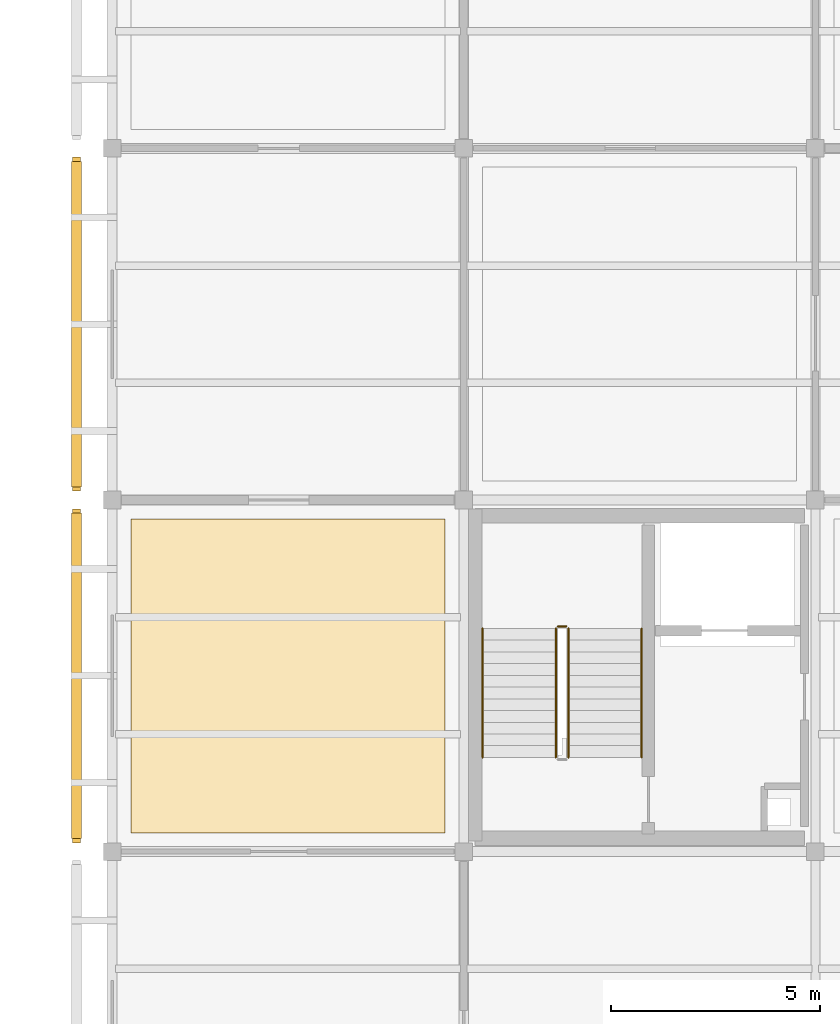
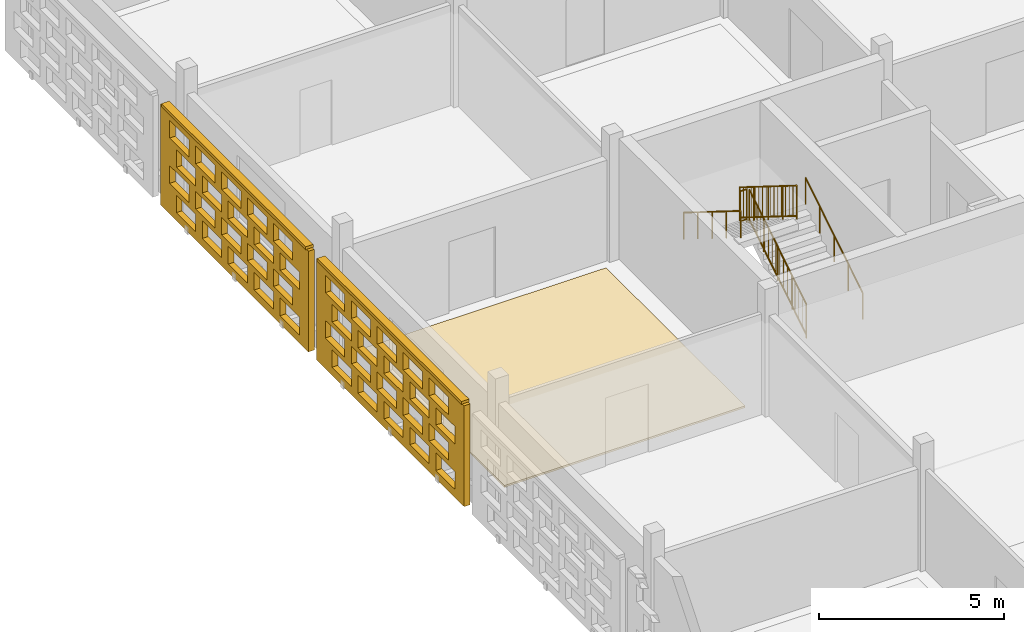
# One storey, part 92 of 103: 5 railings, 3 coverings, 2 shading devices, 40 openings.
"""IFC4 building model written with IfcOpenShell, lengths in metres."""

from ifc_helpers import new_model, si_unit, direction, frame, frame_2d, origin, origin_2d, place, context, subcontext, project, spatial, rectangle, circle, extrude, material, layer, layer_set, type_object, element, save


model = new_model("IFC4")

# Units and contexts
model_context = context("Model", 3, precision=1e-05, world=origin(), true_north=direction((0.0, 1.0)))
body_context = subcontext(model_context, "Body", "Model", "MODEL_VIEW")
ifc_project = project(units=[si_unit("LENGTHUNIT", "METRE"), si_unit("AREAUNIT", "SQUARE_METRE"), si_unit("VOLUMEUNIT", "CUBIC_METRE"), si_unit("PLANEANGLEUNIT", "RADIAN"), si_unit("MASSUNIT", "GRAM", prefix="KILO")], contexts=[model_context])

# Site, building, storey
site_placement = place(None, origin())
site = spatial("IfcSite", under=ifc_project, at=site_placement, CompositionType="ELEMENT")
building_placement = place(site_placement, origin())
building = spatial("IfcBuilding", under=site, at=building_placement, Name="Varnapada Polytechnic", CompositionType="ELEMENT")
storey_placement = place(building_placement, frame((0.0, 0.0, 18.0)))
storey = spatial("IfcBuildingStorey", under=building, at=storey_placement, Name="L04", CompositionType="ELEMENT", Elevation=18.0)

# Covering
ifc_material_1 = material(Name="Anti-Static Raised Laboratory Flooring")
ifc_layer_1 = layer(ifc_material_1, 0.06005859375)
ifc_layer_set_1 = layer_set([ifc_layer_1], Name="Anti-Static Raised Laboratory Flooring")
covering_type_1 = type_object("IfcCoveringType", Name="Floor Finish FLR-02", PredefinedType="FLOORING", material=ifc_layer_set_1)
covering_1_placement = place(storey_placement, frame((4.199951171875, 105.0, 0.0), z_axis=(0.0, 0.0, 1.0), x_axis=(1.0, 0.0, 0.0)))
element("IfcCovering", 1, at=covering_1_placement, inside=storey, type_object=covering_type_1, Name="L04 floor finish panel (1,13)", PredefinedType="FLOORING", context=body_context, shape_type="SweptSolid", body=[
    extrude(rectangle(XDim=7.5, YDim=7.5, at=origin_2d()), origin(), (0.0, 0.0, 1.0), 0.06005859375),
])

# Railings
ifc_material_2 = material(Name="Brushed Stainless Steel 316", Category="steel")
railing_type_1 = type_object("IfcRailingType", Name="Stair Wall Handrail SHR-01", PredefinedType="HANDRAIL", material=ifc_material_2)
railing_1_placement = place(storey_placement, frame((12.64990234375, 103.050048828125, 0.175048828125)))
element("IfcRailing", 2, at=railing_1_placement, inside=storey, type_object=railing_type_1, Name="L04 ST-1 stair handrail 1", PredefinedType="HANDRAIL", context=body_context, shape_type="SweptSolid", body=[
    extrude(circle(Radius=0.02392578125, at=origin_2d()), frame((0.0, 0.0, 0.8759765625), z_axis=(0.0, 0.847979421464, 0.530029150871), x_axis=(-1.0, 0.0, 0.0)), (0.0, 0.0, 1.0), 3.632080078125),
    extrude(circle(Radius=0.02099609375, at=origin_2d()), origin(), (0.0, 0.0, 1.0), 0.851806640625),
    extrude(circle(Radius=0.02099609375, at=origin_2d()), frame((0.0, 0.77001953125, 0.481201171875)), (0.0, 0.0, 1.0), 0.851806640625),
    extrude(circle(Radius=0.02099609375, at=origin_2d()), frame((0.0, 1.5400390625, 0.96240234375)), (0.0, 0.0, 1.0), 0.851806640625),
    extrude(circle(Radius=0.02099609375, at=origin_2d()), frame((0.0, 2.309814453125, 1.44384765625)), (0.0, 0.0, 1.0), 0.851806640625),
    extrude(circle(Radius=0.02099609375, at=origin_2d()), frame((0.0, 3.079833984375, 1.925048828125)), (0.0, 0.0, 1.0), 0.851806640625),
])
railing_2_placement = place(storey_placement, frame((8.85009765625, 106.1298828125, 2.27490234375)))
element("IfcRailing", 3, at=railing_2_placement, inside=storey, type_object=railing_type_1, Name="L04 ST-1 stair handrail 2", PredefinedType="HANDRAIL", context=body_context, shape_type="SweptSolid", body=[
    extrude(circle(Radius=0.02392578125, at=origin_2d()), frame((0.0, 0.0, 0.8759765625), z_axis=(0.0, -0.847979421464, 0.530029150871), x_axis=(1.0, 0.0, 0.0)), (0.0, 0.0, 1.0), 3.632080078125),
    extrude(circle(Radius=0.02099609375, at=origin_2d()), origin(), (0.0, 0.0, 1.0), 0.851806640625),
    extrude(circle(Radius=0.02099609375, at=origin_2d()), frame((0.0, -0.77001953125, 0.481201171875)), (0.0, 0.0, 1.0), 0.851806640625),
    extrude(circle(Radius=0.02099609375, at=origin_2d()), frame((0.0, -1.5400390625, 0.96240234375)), (0.0, 0.0, 1.0), 0.851806640625),
    extrude(circle(Radius=0.02099609375, at=origin_2d()), frame((0.0, -2.309814453125, 1.44384765625)), (0.0, 0.0, 1.0), 0.851806640625),
    extrude(circle(Radius=0.02099609375, at=origin_2d()), frame((0.0, -3.079833984375, 1.925048828125)), (0.0, 0.0, 1.0), 0.851806640625),
])
railing_type_2 = type_object("IfcRailingType", Name="Stair Well Guard Rail SGR-01", PredefinedType="BALUSTRADE", material=ifc_material_2)
railing_3_placement = place(storey_placement, frame((10.89990234375, 103.050048828125, 0.175048828125)))
element("IfcRailing", 4, at=railing_3_placement, inside=storey, type_object=railing_type_2, Name="L04 ST-1 stair guard 1", PredefinedType="BALUSTRADE", context=body_context, shape_type="SweptSolid", body=[
    extrude(circle(Radius=0.02392578125, at=origin_2d()), frame((0.0, 0.0, 1.09619140625), z_axis=(0.0, 0.847979421464, 0.530029150871), x_axis=(-1.0, 0.0, 0.0)), (0.0, 0.0, 1.0), 3.632080078125),
    extrude(circle(Radius=0.02392578125, at=origin_2d()), frame((0.0, 0.0, 0.10009765625), z_axis=(0.0, 0.847979421464, 0.530029150871), x_axis=(-1.0, 0.0, 0.0)), (0.0, 0.0, 1.0), 3.632080078125),
    extrude(circle(Radius=0.02099609375, at=origin_2d()), origin(), (0.0, 0.0, 1.0), 1.072021484375),
    extrude(circle(Radius=0.02099609375, at=origin_2d()), frame((0.0, 0.77001953125, 0.481201171875)), (0.0, 0.0, 1.0), 1.072021484375),
    extrude(circle(Radius=0.02099609375, at=origin_2d()), frame((0.0, 1.5400390625, 0.96240234375)), (0.0, 0.0, 1.0), 1.072021484375),
    extrude(circle(Radius=0.02099609375, at=origin_2d()), frame((0.0, 2.309814453125, 1.44384765625)), (0.0, 0.0, 1.0), 1.072021484375),
    extrude(circle(Radius=0.02099609375, at=origin_2d()), frame((0.0, 3.079833984375, 1.925048828125)), (0.0, 0.0, 1.0), 1.072021484375),
    extrude(circle(Radius=0.010009765625, at=origin_2d()), frame((0.0, 0.205322265625, 0.228515625)), (0.0, 0.0, 1.0), 0.971923828125),
    extrude(circle(Radius=0.010009765625, at=origin_2d()), frame((0.0, 0.41064453125, 0.356689453125)), (0.0, 0.0, 1.0), 0.971923828125),
    extrude(circle(Radius=0.010009765625, at=origin_2d()), frame((0.0, 0.615966796875, 0.485107421875)), (0.0, 0.0, 1.0), 0.971923828125),
    extrude(circle(Radius=0.010009765625, at=origin_2d()), frame((0.0, 0.8212890625, 0.613525390625)), (0.0, 0.0, 1.0), 0.971923828125),
    extrude(circle(Radius=0.010009765625, at=origin_2d()), frame((0.0, 1.026611328125, 0.74169921875)), (0.0, 0.0, 1.0), 0.971923828125),
    extrude(circle(Radius=0.010009765625, at=origin_2d()), frame((0.0, 1.23193359375, 0.8701171875)), (0.0, 0.0, 1.0), 0.971923828125),
    extrude(circle(Radius=0.010009765625, at=origin_2d()), frame((0.0, 1.437255859375, 0.99853515625)), (0.0, 0.0, 1.0), 0.971923828125),
    extrude(circle(Radius=0.010009765625, at=origin_2d()), frame((0.0, 1.642578125, 1.126708984375)), (0.0, 0.0, 1.0), 0.971923828125),
    extrude(circle(Radius=0.010009765625, at=origin_2d()), frame((0.0, 1.847900390625, 1.255126953125)), (0.0, 0.0, 1.0), 0.971923828125),
    extrude(circle(Radius=0.010009765625, at=origin_2d()), frame((0.0, 2.05322265625, 1.383544921875)), (0.0, 0.0, 1.0), 0.971923828125),
    extrude(circle(Radius=0.010009765625, at=origin_2d()), frame((0.0, 2.258544921875, 1.51171875)), (0.0, 0.0, 1.0), 0.971923828125),
    extrude(circle(Radius=0.010009765625, at=origin_2d()), frame((0.0, 2.4638671875, 1.64013671875)), (0.0, 0.0, 1.0), 0.971923828125),
    extrude(circle(Radius=0.010009765625, at=origin_2d()), frame((0.0, 2.669189453125, 1.7685546875)), (0.0, 0.0, 1.0), 0.971923828125),
    extrude(circle(Radius=0.010009765625, at=origin_2d()), frame((0.0, 2.87451171875, 1.896728515625)), (0.0, 0.0, 1.0), 0.971923828125),
])
railing_4_placement = place(storey_placement, frame((10.85009765625, 106.179931640625, 2.10009765625)))
element("IfcRailing", 5, at=railing_4_placement, inside=storey, type_object=railing_type_2, Name="L04 ST-1 stair guard 2", PredefinedType="BALUSTRADE", context=body_context, shape_type="SweptSolid", body=[
    extrude(circle(Radius=0.02392578125, at=origin_2d()), frame((0.0, 0.0, 1.09619140625), z_axis=(-1.0, 0.0, 0.0), x_axis=(0.0, -1.0, 0.0)), (0.0, 0.0, 1.0), 0.2001953125),
    extrude(circle(Radius=0.02392578125, at=origin_2d()), frame((0.0, 0.0, 0.10009765625), z_axis=(-1.0, 0.0, 0.0), x_axis=(0.0, -1.0, 0.0)), (0.0, 0.0, 1.0), 0.2001953125),
    extrude(circle(Radius=0.02099609375, at=origin_2d()), origin(), (0.0, 0.0, 1.0), 1.072021484375),
    extrude(circle(Radius=0.02099609375, at=origin_2d()), frame((-0.2001953125, 0.0, 0.0)), (0.0, 0.0, 1.0), 1.072021484375),
])
railing_5_placement = place(storey_placement, frame((10.60009765625, 106.1298828125, 2.27490234375)))
element("IfcRailing", 6, at=railing_5_placement, inside=storey, type_object=railing_type_2, Name="L04 ST-1 stair guard 3", PredefinedType="BALUSTRADE", context=body_context, shape_type="SweptSolid", body=[
    extrude(circle(Radius=0.02392578125, at=origin_2d()), frame((0.0, 0.0, 1.09619140625), z_axis=(0.0, -0.847979421464, 0.530029150871), x_axis=(1.0, 0.0, 0.0)), (0.0, 0.0, 1.0), 3.632080078125),
    extrude(circle(Radius=0.02392578125, at=origin_2d()), frame((0.0, 0.0, 0.10009765625), z_axis=(0.0, -0.847979421464, 0.530029150871), x_axis=(1.0, 0.0, 0.0)), (0.0, 0.0, 1.0), 3.632080078125),
    extrude(circle(Radius=0.02099609375, at=origin_2d()), origin(), (0.0, 0.0, 1.0), 1.072021484375),
    extrude(circle(Radius=0.02099609375, at=origin_2d()), frame((0.0, -0.77001953125, 0.481201171875)), (0.0, 0.0, 1.0), 1.072021484375),
    extrude(circle(Radius=0.02099609375, at=origin_2d()), frame((0.0, -1.5400390625, 0.96240234375)), (0.0, 0.0, 1.0), 1.072021484375),
    extrude(circle(Radius=0.02099609375, at=origin_2d()), frame((0.0, -2.309814453125, 1.44384765625)), (0.0, 0.0, 1.0), 1.072021484375),
    extrude(circle(Radius=0.02099609375, at=origin_2d()), frame((0.0, -3.079833984375, 1.925048828125)), (0.0, 0.0, 1.0), 1.072021484375),
    extrude(circle(Radius=0.010009765625, at=origin_2d()), frame((0.0, -0.205322265625, 0.228515625)), (0.0, 0.0, 1.0), 0.971923828125),
    extrude(circle(Radius=0.010009765625, at=origin_2d()), frame((0.0, -0.41064453125, 0.356689453125)), (0.0, 0.0, 1.0), 0.971923828125),
    extrude(circle(Radius=0.010009765625, at=origin_2d()), frame((0.0, -0.615966796875, 0.485107421875)), (0.0, 0.0, 1.0), 0.971923828125),
    extrude(circle(Radius=0.010009765625, at=origin_2d()), frame((0.0, -0.8212890625, 0.613525390625)), (0.0, 0.0, 1.0), 0.971923828125),
    extrude(circle(Radius=0.010009765625, at=origin_2d()), frame((0.0, -1.026611328125, 0.74169921875)), (0.0, 0.0, 1.0), 0.971923828125),
    extrude(circle(Radius=0.010009765625, at=origin_2d()), frame((0.0, -1.23193359375, 0.8701171875)), (0.0, 0.0, 1.0), 0.971923828125),
    extrude(circle(Radius=0.010009765625, at=origin_2d()), frame((0.0, -1.437255859375, 0.99853515625)), (0.0, 0.0, 1.0), 0.971923828125),
    extrude(circle(Radius=0.010009765625, at=origin_2d()), frame((0.0, -1.642578125, 1.126708984375)), (0.0, 0.0, 1.0), 0.971923828125),
    extrude(circle(Radius=0.010009765625, at=origin_2d()), frame((0.0, -1.847900390625, 1.255126953125)), (0.0, 0.0, 1.0), 0.971923828125),
    extrude(circle(Radius=0.010009765625, at=origin_2d()), frame((0.0, -2.05322265625, 1.383544921875)), (0.0, 0.0, 1.0), 0.971923828125),
    extrude(circle(Radius=0.010009765625, at=origin_2d()), frame((0.0, -2.258544921875, 1.51171875)), (0.0, 0.0, 1.0), 0.971923828125),
    extrude(circle(Radius=0.010009765625, at=origin_2d()), frame((0.0, -2.4638671875, 1.64013671875)), (0.0, 0.0, 1.0), 0.971923828125),
    extrude(circle(Radius=0.010009765625, at=origin_2d()), frame((0.0, -2.669189453125, 1.7685546875)), (0.0, 0.0, 1.0), 0.971923828125),
    extrude(circle(Radius=0.010009765625, at=origin_2d()), frame((0.0, -2.87451171875, 1.896728515625)), (0.0, 0.0, 1.0), 0.971923828125),
])

# Covering, openings
ifc_material_3 = material(Name="Earth-toned architectural terracotta screen block", Category="masonry")
ifc_layer_2 = layer(ifc_material_3, 0.1201171875)
ifc_layer_set_2 = layer_set([ifc_layer_2], Name="Earth-toned architectural terracotta screen block")
covering_type_2 = type_object("IfcCoveringType", Name="Terracotta Screen Cladding CLD-01", PredefinedType="CLADDING", material=ifc_layer_set_2)
covering_2_placement = place(storey_placement, frame((-0.85009765625, 101.010009765625, 0.0), z_axis=(0.0, 0.0, 1.0), x_axis=(0.0, 1.0, 0.0)))
covering_2 = element("IfcCovering", 7, at=covering_2_placement, inside=storey, type_object=covering_type_2, Name="L04 perforated terracotta block screen (8)", PredefinedType="CLADDING", context=body_context, shape_type="SweptSolid", body=[
    extrude(rectangle(XDim=7.97998046875, YDim=0.179931640625, at=frame_2d((3.989990234375, 0.0))), origin(), (0.0, 0.0, 1.0), 3.320068359375),
])
opening_1_placement = place(covering_2_placement, frame((0.489990234375, 0.0, 0.265625)))
element("IfcOpeningElement", 8, at=opening_1_placement, cuts=covering_2, Name="Screen perforation TBS-L04-007.1", PredefinedType="OPENING", context=body_context, shape_type="SweptSolid", body=[
    extrude(rectangle(XDim=1.0400390625, YDim=0.5810546875, at=frame_2d((0.52001953125, 0.29052734375))), frame((0.0, 0.099853515625, 0.0), z_axis=(0.0, -1.0, 0.0), x_axis=(1.0, 0.0, 0.0)), (0.0, 0.0, 1.0), 0.199951171875),
])
opening_2_placement = place(covering_2_placement, frame((1.889892578125, 0.0, 0.265625)))
element("IfcOpeningElement", 9, at=opening_2_placement, cuts=covering_2, Name="Screen perforation TBS-L04-007.2", PredefinedType="OPENING", context=body_context, shape_type="SweptSolid", body=[
    extrude(rectangle(XDim=1.0400390625, YDim=0.5810546875, at=frame_2d((0.52001953125, 0.29052734375))), frame((0.0, 0.099853515625, 0.0), z_axis=(0.0, -1.0, 0.0), x_axis=(1.0, 0.0, 0.0)), (0.0, 0.0, 1.0), 0.199951171875),
])
opening_3_placement = place(covering_2_placement, frame((3.2900390625, 0.0, 0.265625)))
element("IfcOpeningElement", 10, at=opening_3_placement, cuts=covering_2, Name="Screen perforation TBS-L04-007.3", PredefinedType="OPENING", context=body_context, shape_type="SweptSolid", body=[
    extrude(rectangle(XDim=1.0400390625, YDim=0.5810546875, at=frame_2d((0.52001953125, 0.29052734375))), frame((0.0, 0.099853515625, 0.0), z_axis=(0.0, -1.0, 0.0), x_axis=(1.0, 0.0, 0.0)), (0.0, 0.0, 1.0), 0.199951171875),
])
opening_4_placement = place(covering_2_placement, frame((4.68994140625, 0.0, 0.265625)))
element("IfcOpeningElement", 11, at=opening_4_placement, cuts=covering_2, Name="Screen perforation TBS-L04-007.4", PredefinedType="OPENING", context=body_context, shape_type="SweptSolid", body=[
    extrude(rectangle(XDim=1.0400390625, YDim=0.5810546875, at=frame_2d((0.52001953125, 0.29052734375))), frame((0.0, 0.099853515625, 0.0), z_axis=(0.0, -1.0, 0.0), x_axis=(1.0, 0.0, 0.0)), (0.0, 0.0, 1.0), 0.199951171875),
])
opening_5_placement = place(covering_2_placement, frame((6.090087890625, 0.0, 0.265625)))
element("IfcOpeningElement", 12, at=opening_5_placement, cuts=covering_2, Name="Screen perforation TBS-L04-007.5", PredefinedType="OPENING", context=body_context, shape_type="SweptSolid", body=[
    extrude(rectangle(XDim=1.0400390625, YDim=0.5810546875, at=frame_2d((0.52001953125, 0.29052734375))), frame((0.0, 0.099853515625, 0.0), z_axis=(0.0, -1.0, 0.0), x_axis=(1.0, 0.0, 0.0)), (0.0, 0.0, 1.0), 0.199951171875),
])
opening_6_placement = place(covering_2_placement, frame((0.85009765625, 0.0, 1.0126953125)))
element("IfcOpeningElement", 13, at=opening_6_placement, cuts=covering_2, Name="Screen perforation TBS-L04-007.6", PredefinedType="OPENING", context=body_context, shape_type="SweptSolid", body=[
    extrude(rectangle(XDim=1.0400390625, YDim=0.5810546875, at=frame_2d((0.52001953125, 0.29052734375))), frame((0.0, 0.099853515625, 0.0), z_axis=(0.0, -1.0, 0.0), x_axis=(1.0, 0.0, 0.0)), (0.0, 0.0, 1.0), 0.199951171875),
])
opening_7_placement = place(covering_2_placement, frame((2.25, 0.0, 1.0126953125)))
element("IfcOpeningElement", 14, at=opening_7_placement, cuts=covering_2, Name="Screen perforation TBS-L04-007.7", PredefinedType="OPENING", context=body_context, shape_type="SweptSolid", body=[
    extrude(rectangle(XDim=1.0400390625, YDim=0.5810546875, at=frame_2d((0.52001953125, 0.29052734375))), frame((0.0, 0.099853515625, 0.0), z_axis=(0.0, -1.0, 0.0), x_axis=(1.0, 0.0, 0.0)), (0.0, 0.0, 1.0), 0.199951171875),
])
opening_8_placement = place(covering_2_placement, frame((3.64990234375, 0.0, 1.0126953125)))
element("IfcOpeningElement", 15, at=opening_8_placement, cuts=covering_2, Name="Screen perforation TBS-L04-007.8", PredefinedType="OPENING", context=body_context, shape_type="SweptSolid", body=[
    extrude(rectangle(XDim=1.0400390625, YDim=0.5810546875, at=frame_2d((0.52001953125, 0.29052734375))), frame((0.0, 0.099853515625, 0.0), z_axis=(0.0, -1.0, 0.0), x_axis=(1.0, 0.0, 0.0)), (0.0, 0.0, 1.0), 0.199951171875),
])
opening_9_placement = place(covering_2_placement, frame((5.050048828125, 0.0, 1.0126953125)))
element("IfcOpeningElement", 16, at=opening_9_placement, cuts=covering_2, Name="Screen perforation TBS-L04-007.9", PredefinedType="OPENING", context=body_context, shape_type="SweptSolid", body=[
    extrude(rectangle(XDim=1.0400390625, YDim=0.5810546875, at=frame_2d((0.52001953125, 0.29052734375))), frame((0.0, 0.099853515625, 0.0), z_axis=(0.0, -1.0, 0.0), x_axis=(1.0, 0.0, 0.0)), (0.0, 0.0, 1.0), 0.199951171875),
])
opening_10_placement = place(covering_2_placement, frame((6.449951171875, 0.0, 1.0126953125)))
element("IfcOpeningElement", 17, at=opening_10_placement, cuts=covering_2, Name="Screen perforation TBS-L04-007.10", PredefinedType="OPENING", context=body_context, shape_type="SweptSolid", body=[
    extrude(rectangle(XDim=1.0400390625, YDim=0.5810546875, at=frame_2d((0.52001953125, 0.29052734375))), frame((0.0, 0.099853515625, 0.0), z_axis=(0.0, -1.0, 0.0), x_axis=(1.0, 0.0, 0.0)), (0.0, 0.0, 1.0), 0.199951171875),
])
opening_11_placement = place(covering_2_placement, frame((0.489990234375, 0.0, 1.759521484375)))
element("IfcOpeningElement", 18, at=opening_11_placement, cuts=covering_2, Name="Screen perforation TBS-L04-007.11", PredefinedType="OPENING", context=body_context, shape_type="SweptSolid", body=[
    extrude(rectangle(XDim=1.0400390625, YDim=0.5810546875, at=frame_2d((0.52001953125, 0.29052734375))), frame((0.0, 0.099853515625, 0.0), z_axis=(0.0, -1.0, 0.0), x_axis=(1.0, 0.0, 0.0)), (0.0, 0.0, 1.0), 0.199951171875),
])
opening_12_placement = place(covering_2_placement, frame((1.889892578125, 0.0, 1.759521484375)))
element("IfcOpeningElement", 19, at=opening_12_placement, cuts=covering_2, Name="Screen perforation TBS-L04-007.12", PredefinedType="OPENING", context=body_context, shape_type="SweptSolid", body=[
    extrude(rectangle(XDim=1.0400390625, YDim=0.5810546875, at=frame_2d((0.52001953125, 0.29052734375))), frame((0.0, 0.099853515625, 0.0), z_axis=(0.0, -1.0, 0.0), x_axis=(1.0, 0.0, 0.0)), (0.0, 0.0, 1.0), 0.199951171875),
])
opening_13_placement = place(covering_2_placement, frame((3.2900390625, 0.0, 1.759521484375)))
element("IfcOpeningElement", 20, at=opening_13_placement, cuts=covering_2, Name="Screen perforation TBS-L04-007.13", PredefinedType="OPENING", context=body_context, shape_type="SweptSolid", body=[
    extrude(rectangle(XDim=1.0400390625, YDim=0.5810546875, at=frame_2d((0.52001953125, 0.29052734375))), frame((0.0, 0.099853515625, 0.0), z_axis=(0.0, -1.0, 0.0), x_axis=(1.0, 0.0, 0.0)), (0.0, 0.0, 1.0), 0.199951171875),
])
opening_14_placement = place(covering_2_placement, frame((4.68994140625, 0.0, 1.759521484375)))
element("IfcOpeningElement", 21, at=opening_14_placement, cuts=covering_2, Name="Screen perforation TBS-L04-007.14", PredefinedType="OPENING", context=body_context, shape_type="SweptSolid", body=[
    extrude(rectangle(XDim=1.0400390625, YDim=0.5810546875, at=frame_2d((0.52001953125, 0.29052734375))), frame((0.0, 0.099853515625, 0.0), z_axis=(0.0, -1.0, 0.0), x_axis=(1.0, 0.0, 0.0)), (0.0, 0.0, 1.0), 0.199951171875),
])
opening_15_placement = place(covering_2_placement, frame((6.090087890625, 0.0, 1.759521484375)))
element("IfcOpeningElement", 22, at=opening_15_placement, cuts=covering_2, Name="Screen perforation TBS-L04-007.15", PredefinedType="OPENING", context=body_context, shape_type="SweptSolid", body=[
    extrude(rectangle(XDim=1.0400390625, YDim=0.5810546875, at=frame_2d((0.52001953125, 0.29052734375))), frame((0.0, 0.099853515625, 0.0), z_axis=(0.0, -1.0, 0.0), x_axis=(1.0, 0.0, 0.0)), (0.0, 0.0, 1.0), 0.199951171875),
])
opening_16_placement = place(covering_2_placement, frame((0.85009765625, 0.0, 2.506591796875)))
element("IfcOpeningElement", 23, at=opening_16_placement, cuts=covering_2, Name="Screen perforation TBS-L04-007.16", PredefinedType="OPENING", context=body_context, shape_type="SweptSolid", body=[
    extrude(rectangle(XDim=1.0400390625, YDim=0.5810546875, at=frame_2d((0.52001953125, 0.29052734375))), frame((0.0, 0.099853515625, 0.0), z_axis=(0.0, -1.0, 0.0), x_axis=(1.0, 0.0, 0.0)), (0.0, 0.0, 1.0), 0.199951171875),
])
opening_17_placement = place(covering_2_placement, frame((2.25, 0.0, 2.506591796875)))
element("IfcOpeningElement", 24, at=opening_17_placement, cuts=covering_2, Name="Screen perforation TBS-L04-007.17", PredefinedType="OPENING", context=body_context, shape_type="SweptSolid", body=[
    extrude(rectangle(XDim=1.0400390625, YDim=0.5810546875, at=frame_2d((0.52001953125, 0.29052734375))), frame((0.0, 0.099853515625, 0.0), z_axis=(0.0, -1.0, 0.0), x_axis=(1.0, 0.0, 0.0)), (0.0, 0.0, 1.0), 0.199951171875),
])
opening_18_placement = place(covering_2_placement, frame((3.64990234375, 0.0, 2.506591796875)))
element("IfcOpeningElement", 25, at=opening_18_placement, cuts=covering_2, Name="Screen perforation TBS-L04-007.18", PredefinedType="OPENING", context=body_context, shape_type="SweptSolid", body=[
    extrude(rectangle(XDim=1.0400390625, YDim=0.5810546875, at=frame_2d((0.52001953125, 0.29052734375))), frame((0.0, 0.099853515625, 0.0), z_axis=(0.0, -1.0, 0.0), x_axis=(1.0, 0.0, 0.0)), (0.0, 0.0, 1.0), 0.199951171875),
])
opening_19_placement = place(covering_2_placement, frame((5.050048828125, 0.0, 2.506591796875)))
element("IfcOpeningElement", 26, at=opening_19_placement, cuts=covering_2, Name="Screen perforation TBS-L04-007.19", PredefinedType="OPENING", context=body_context, shape_type="SweptSolid", body=[
    extrude(rectangle(XDim=1.0400390625, YDim=0.5810546875, at=frame_2d((0.52001953125, 0.29052734375))), frame((0.0, 0.099853515625, 0.0), z_axis=(0.0, -1.0, 0.0), x_axis=(1.0, 0.0, 0.0)), (0.0, 0.0, 1.0), 0.199951171875),
])
opening_20_placement = place(covering_2_placement, frame((6.449951171875, 0.0, 2.506591796875)))
element("IfcOpeningElement", 27, at=opening_20_placement, cuts=covering_2, Name="Screen perforation TBS-L04-007.20", PredefinedType="OPENING", context=body_context, shape_type="SweptSolid", body=[
    extrude(rectangle(XDim=1.0400390625, YDim=0.5810546875, at=frame_2d((0.52001953125, 0.29052734375))), frame((0.0, 0.099853515625, 0.0), z_axis=(0.0, -1.0, 0.0), x_axis=(1.0, 0.0, 0.0)), (0.0, 0.0, 1.0), 0.199951171875),
])

covering_3_placement = place(storey_placement, frame((-0.85009765625, 109.409912109375, 0.0), z_axis=(0.0, 0.0, 1.0), x_axis=(0.0, 1.0, 0.0)))
covering_3 = element("IfcCovering", 28, at=covering_3_placement, inside=storey, type_object=covering_type_2, Name="L04 perforated terracotta block screen (9)", PredefinedType="CLADDING", context=body_context, shape_type="SweptSolid", body=[
    extrude(rectangle(XDim=7.97998046875, YDim=0.179931640625, at=frame_2d((3.989990234375, 0.0))), origin(), (0.0, 0.0, 1.0), 3.320068359375),
])
opening_21_placement = place(covering_3_placement, frame((0.489990234375, 0.0, 0.265625)))
element("IfcOpeningElement", 29, at=opening_21_placement, cuts=covering_3, Name="Screen perforation TBS-L04-008.1", PredefinedType="OPENING", context=body_context, shape_type="SweptSolid", body=[
    extrude(rectangle(XDim=1.0400390625, YDim=0.5810546875, at=frame_2d((0.52001953125, 0.29052734375))), frame((0.0, 0.099853515625, 0.0), z_axis=(0.0, -1.0, 0.0), x_axis=(1.0, 0.0, 0.0)), (0.0, 0.0, 1.0), 0.199951171875),
])
opening_22_placement = place(covering_3_placement, frame((1.889892578125, 0.0, 0.265625)))
element("IfcOpeningElement", 30, at=opening_22_placement, cuts=covering_3, Name="Screen perforation TBS-L04-008.2", PredefinedType="OPENING", context=body_context, shape_type="SweptSolid", body=[
    extrude(rectangle(XDim=1.0400390625, YDim=0.5810546875, at=frame_2d((0.52001953125, 0.29052734375))), frame((0.0, 0.099853515625, 0.0), z_axis=(0.0, -1.0, 0.0), x_axis=(1.0, 0.0, 0.0)), (0.0, 0.0, 1.0), 0.199951171875),
])
opening_23_placement = place(covering_3_placement, frame((3.2900390625, 0.0, 0.265625)))
element("IfcOpeningElement", 31, at=opening_23_placement, cuts=covering_3, Name="Screen perforation TBS-L04-008.3", PredefinedType="OPENING", context=body_context, shape_type="SweptSolid", body=[
    extrude(rectangle(XDim=1.0400390625, YDim=0.5810546875, at=frame_2d((0.52001953125, 0.29052734375))), frame((0.0, 0.099853515625, 0.0), z_axis=(0.0, -1.0, 0.0), x_axis=(1.0, 0.0, 0.0)), (0.0, 0.0, 1.0), 0.199951171875),
])
opening_24_placement = place(covering_3_placement, frame((4.68994140625, 0.0, 0.265625)))
element("IfcOpeningElement", 32, at=opening_24_placement, cuts=covering_3, Name="Screen perforation TBS-L04-008.4", PredefinedType="OPENING", context=body_context, shape_type="SweptSolid", body=[
    extrude(rectangle(XDim=1.0400390625, YDim=0.5810546875, at=frame_2d((0.52001953125, 0.29052734375))), frame((0.0, 0.099853515625, 0.0), z_axis=(0.0, -1.0, 0.0), x_axis=(1.0, 0.0, 0.0)), (0.0, 0.0, 1.0), 0.199951171875),
])
opening_25_placement = place(covering_3_placement, frame((6.090087890625, 0.0, 0.265625)))
element("IfcOpeningElement", 33, at=opening_25_placement, cuts=covering_3, Name="Screen perforation TBS-L04-008.5", PredefinedType="OPENING", context=body_context, shape_type="SweptSolid", body=[
    extrude(rectangle(XDim=1.0400390625, YDim=0.5810546875, at=frame_2d((0.52001953125, 0.29052734375))), frame((0.0, 0.099853515625, 0.0), z_axis=(0.0, -1.0, 0.0), x_axis=(1.0, 0.0, 0.0)), (0.0, 0.0, 1.0), 0.199951171875),
])
opening_26_placement = place(covering_3_placement, frame((0.85009765625, 0.0, 1.0126953125)))
element("IfcOpeningElement", 34, at=opening_26_placement, cuts=covering_3, Name="Screen perforation TBS-L04-008.6", PredefinedType="OPENING", context=body_context, shape_type="SweptSolid", body=[
    extrude(rectangle(XDim=1.0400390625, YDim=0.5810546875, at=frame_2d((0.52001953125, 0.29052734375))), frame((0.0, 0.099853515625, 0.0), z_axis=(0.0, -1.0, 0.0), x_axis=(1.0, 0.0, 0.0)), (0.0, 0.0, 1.0), 0.199951171875),
])
opening_27_placement = place(covering_3_placement, frame((2.25, 0.0, 1.0126953125)))
element("IfcOpeningElement", 35, at=opening_27_placement, cuts=covering_3, Name="Screen perforation TBS-L04-008.7", PredefinedType="OPENING", context=body_context, shape_type="SweptSolid", body=[
    extrude(rectangle(XDim=1.0400390625, YDim=0.5810546875, at=frame_2d((0.52001953125, 0.29052734375))), frame((0.0, 0.099853515625, 0.0), z_axis=(0.0, -1.0, 0.0), x_axis=(1.0, 0.0, 0.0)), (0.0, 0.0, 1.0), 0.199951171875),
])
opening_28_placement = place(covering_3_placement, frame((3.64990234375, 0.0, 1.0126953125)))
element("IfcOpeningElement", 36, at=opening_28_placement, cuts=covering_3, Name="Screen perforation TBS-L04-008.8", PredefinedType="OPENING", context=body_context, shape_type="SweptSolid", body=[
    extrude(rectangle(XDim=1.0400390625, YDim=0.5810546875, at=frame_2d((0.52001953125, 0.29052734375))), frame((0.0, 0.099853515625, 0.0), z_axis=(0.0, -1.0, 0.0), x_axis=(1.0, 0.0, 0.0)), (0.0, 0.0, 1.0), 0.199951171875),
])
opening_29_placement = place(covering_3_placement, frame((5.050048828125, 0.0, 1.0126953125)))
element("IfcOpeningElement", 37, at=opening_29_placement, cuts=covering_3, Name="Screen perforation TBS-L04-008.9", PredefinedType="OPENING", context=body_context, shape_type="SweptSolid", body=[
    extrude(rectangle(XDim=1.0400390625, YDim=0.5810546875, at=frame_2d((0.52001953125, 0.29052734375))), frame((0.0, 0.099853515625, 0.0), z_axis=(0.0, -1.0, 0.0), x_axis=(1.0, 0.0, 0.0)), (0.0, 0.0, 1.0), 0.199951171875),
])
opening_30_placement = place(covering_3_placement, frame((6.449951171875, 0.0, 1.0126953125)))
element("IfcOpeningElement", 38, at=opening_30_placement, cuts=covering_3, Name="Screen perforation TBS-L04-008.10", PredefinedType="OPENING", context=body_context, shape_type="SweptSolid", body=[
    extrude(rectangle(XDim=1.0400390625, YDim=0.5810546875, at=frame_2d((0.52001953125, 0.29052734375))), frame((0.0, 0.099853515625, 0.0), z_axis=(0.0, -1.0, 0.0), x_axis=(1.0, 0.0, 0.0)), (0.0, 0.0, 1.0), 0.199951171875),
])
opening_31_placement = place(covering_3_placement, frame((0.489990234375, 0.0, 1.759521484375)))
element("IfcOpeningElement", 39, at=opening_31_placement, cuts=covering_3, Name="Screen perforation TBS-L04-008.11", PredefinedType="OPENING", context=body_context, shape_type="SweptSolid", body=[
    extrude(rectangle(XDim=1.0400390625, YDim=0.5810546875, at=frame_2d((0.52001953125, 0.29052734375))), frame((0.0, 0.099853515625, 0.0), z_axis=(0.0, -1.0, 0.0), x_axis=(1.0, 0.0, 0.0)), (0.0, 0.0, 1.0), 0.199951171875),
])
opening_32_placement = place(covering_3_placement, frame((1.889892578125, 0.0, 1.759521484375)))
element("IfcOpeningElement", 40, at=opening_32_placement, cuts=covering_3, Name="Screen perforation TBS-L04-008.12", PredefinedType="OPENING", context=body_context, shape_type="SweptSolid", body=[
    extrude(rectangle(XDim=1.0400390625, YDim=0.5810546875, at=frame_2d((0.52001953125, 0.29052734375))), frame((0.0, 0.099853515625, 0.0), z_axis=(0.0, -1.0, 0.0), x_axis=(1.0, 0.0, 0.0)), (0.0, 0.0, 1.0), 0.199951171875),
])
opening_33_placement = place(covering_3_placement, frame((3.2900390625, 0.0, 1.759521484375)))
element("IfcOpeningElement", 41, at=opening_33_placement, cuts=covering_3, Name="Screen perforation TBS-L04-008.13", PredefinedType="OPENING", context=body_context, shape_type="SweptSolid", body=[
    extrude(rectangle(XDim=1.0400390625, YDim=0.5810546875, at=frame_2d((0.52001953125, 0.29052734375))), frame((0.0, 0.099853515625, 0.0), z_axis=(0.0, -1.0, 0.0), x_axis=(1.0, 0.0, 0.0)), (0.0, 0.0, 1.0), 0.199951171875),
])
opening_34_placement = place(covering_3_placement, frame((4.68994140625, 0.0, 1.759521484375)))
element("IfcOpeningElement", 42, at=opening_34_placement, cuts=covering_3, Name="Screen perforation TBS-L04-008.14", PredefinedType="OPENING", context=body_context, shape_type="SweptSolid", body=[
    extrude(rectangle(XDim=1.0400390625, YDim=0.5810546875, at=frame_2d((0.52001953125, 0.29052734375))), frame((0.0, 0.099853515625, 0.0), z_axis=(0.0, -1.0, 0.0), x_axis=(1.0, 0.0, 0.0)), (0.0, 0.0, 1.0), 0.199951171875),
])
opening_35_placement = place(covering_3_placement, frame((6.090087890625, 0.0, 1.759521484375)))
element("IfcOpeningElement", 43, at=opening_35_placement, cuts=covering_3, Name="Screen perforation TBS-L04-008.15", PredefinedType="OPENING", context=body_context, shape_type="SweptSolid", body=[
    extrude(rectangle(XDim=1.0400390625, YDim=0.5810546875, at=frame_2d((0.52001953125, 0.29052734375))), frame((0.0, 0.099853515625, 0.0), z_axis=(0.0, -1.0, 0.0), x_axis=(1.0, 0.0, 0.0)), (0.0, 0.0, 1.0), 0.199951171875),
])
opening_36_placement = place(covering_3_placement, frame((0.85009765625, 0.0, 2.506591796875)))
element("IfcOpeningElement", 44, at=opening_36_placement, cuts=covering_3, Name="Screen perforation TBS-L04-008.16", PredefinedType="OPENING", context=body_context, shape_type="SweptSolid", body=[
    extrude(rectangle(XDim=1.0400390625, YDim=0.5810546875, at=frame_2d((0.52001953125, 0.29052734375))), frame((0.0, 0.099853515625, 0.0), z_axis=(0.0, -1.0, 0.0), x_axis=(1.0, 0.0, 0.0)), (0.0, 0.0, 1.0), 0.199951171875),
])
opening_37_placement = place(covering_3_placement, frame((2.25, 0.0, 2.506591796875)))
element("IfcOpeningElement", 45, at=opening_37_placement, cuts=covering_3, Name="Screen perforation TBS-L04-008.17", PredefinedType="OPENING", context=body_context, shape_type="SweptSolid", body=[
    extrude(rectangle(XDim=1.0400390625, YDim=0.5810546875, at=frame_2d((0.52001953125, 0.29052734375))), frame((0.0, 0.099853515625, 0.0), z_axis=(0.0, -1.0, 0.0), x_axis=(1.0, 0.0, 0.0)), (0.0, 0.0, 1.0), 0.199951171875),
])
opening_38_placement = place(covering_3_placement, frame((3.64990234375, 0.0, 2.506591796875)))
element("IfcOpeningElement", 46, at=opening_38_placement, cuts=covering_3, Name="Screen perforation TBS-L04-008.18", PredefinedType="OPENING", context=body_context, shape_type="SweptSolid", body=[
    extrude(rectangle(XDim=1.0400390625, YDim=0.5810546875, at=frame_2d((0.52001953125, 0.29052734375))), frame((0.0, 0.099853515625, 0.0), z_axis=(0.0, -1.0, 0.0), x_axis=(1.0, 0.0, 0.0)), (0.0, 0.0, 1.0), 0.199951171875),
])
opening_39_placement = place(covering_3_placement, frame((5.050048828125, 0.0, 2.506591796875)))
element("IfcOpeningElement", 47, at=opening_39_placement, cuts=covering_3, Name="Screen perforation TBS-L04-008.19", PredefinedType="OPENING", context=body_context, shape_type="SweptSolid", body=[
    extrude(rectangle(XDim=1.0400390625, YDim=0.5810546875, at=frame_2d((0.52001953125, 0.29052734375))), frame((0.0, 0.099853515625, 0.0), z_axis=(0.0, -1.0, 0.0), x_axis=(1.0, 0.0, 0.0)), (0.0, 0.0, 1.0), 0.199951171875),
])
opening_40_placement = place(covering_3_placement, frame((6.449951171875, 0.0, 2.506591796875)))
element("IfcOpeningElement", 48, at=opening_40_placement, cuts=covering_3, Name="Screen perforation TBS-L04-008.20", PredefinedType="OPENING", context=body_context, shape_type="SweptSolid", body=[
    extrude(rectangle(XDim=1.0400390625, YDim=0.5810546875, at=frame_2d((0.52001953125, 0.29052734375))), frame((0.0, 0.099853515625, 0.0), z_axis=(0.0, -1.0, 0.0), x_axis=(1.0, 0.0, 0.0)), (0.0, 0.0, 1.0), 0.199951171875),
])

# Shading devices
ifc_layer_3 = layer(ifc_material_3, 0.179931640625)
ifc_layer_set_3 = layer_set([ifc_layer_3], Name="Earth-toned architectural terracotta screen block")
shading_device_type = type_object("IfcShadingDeviceType", Name="Terracotta Screen SCR-01", PredefinedType="USERDEFINED", material=ifc_layer_set_3)
for number, where, z_axis, x_axis, name in (
    (49, (-0.85009765625, 105.0, 3.31005859375), (0.0, 0.0, 1.0), (0.0, 1.0, 0.0), "L04 perforated terracotta screen hood 430"),
    (50, (-0.85009765625, 113.39990234375, 3.31005859375), (0.0, 0.0, 1.0), (0.0, 1.0, 0.0), "L04 perforated terracotta screen hood 431"),
):
    element("IfcShadingDevice", number, at=place(storey_placement, frame(where, z_axis=z_axis, x_axis=x_axis)), inside=storey, type_object=shading_device_type, Name=name, ObjectType="SCREEN", PredefinedType="USERDEFINED", context=body_context, shape_type="SweptSolid", body=[
        extrude(rectangle(XDim=7.780029296875, YDim=0.239990234375, at=origin_2d()), origin(), (0.0, 0.0, 1.0), 0.10009765625),
    ])

save(model, "model.ifc")
